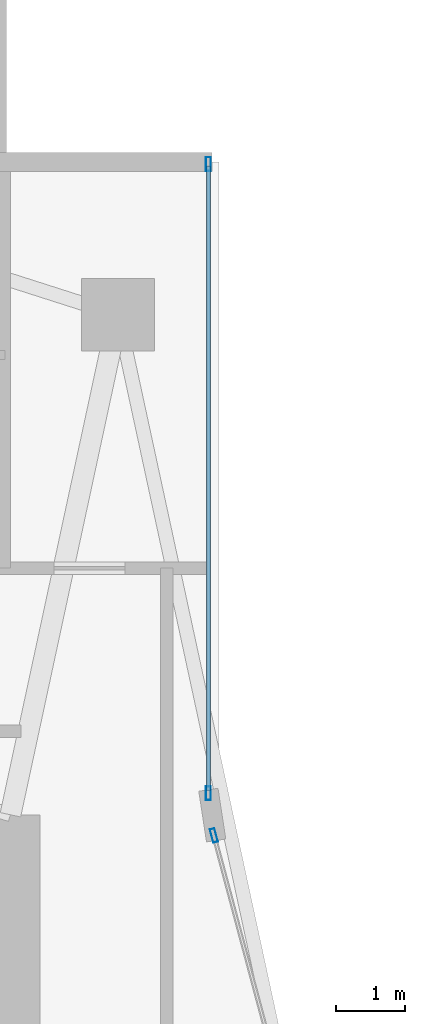
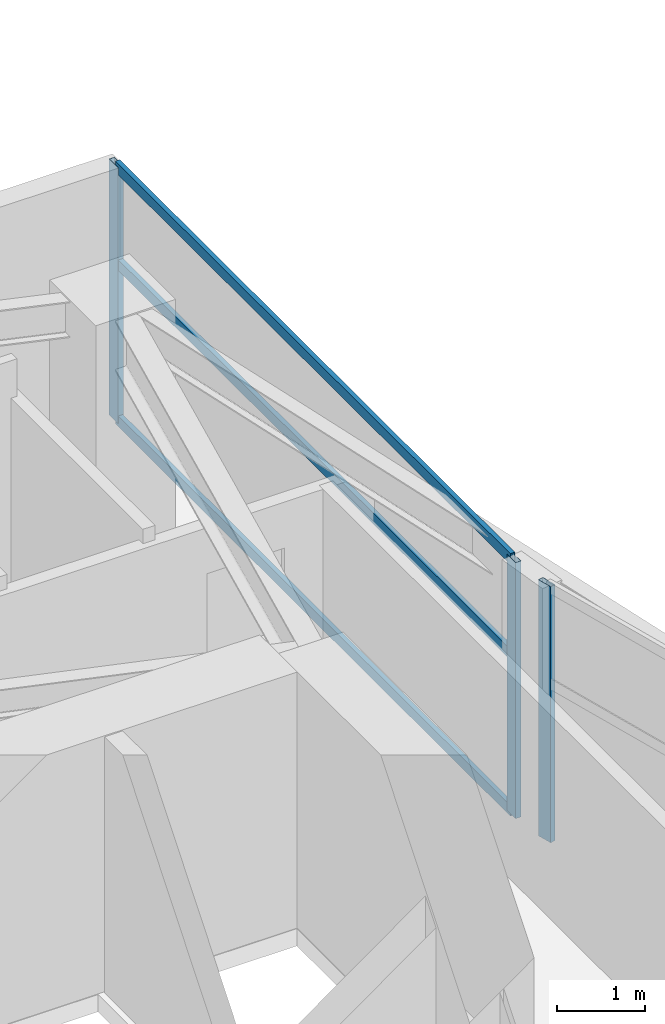
# One storey, part 18 of 28: 6 members, 2 elements without a shape of their own.
"""IFC4 building model written with IfcOpenShell, lengths in metres."""

import ifcopenshell
import ifcopenshell.guid

model = None  # the IFC model being written
_history = None  # IfcOwnerHistory: only IFC2X3 demands one
_inside = {}  # id of a spatial element -> (the spatial element, [elements in it])
_under = {}  # id of a project, library or spatial element -> (it, [spatial elements below it])
_declared = {}  # id of a project -> (the project, [libraries it declares])
_typed = {}  # id of a type object -> (the type object, [elements of that type])
_made_of = {}  # id of a material, layer set ... -> (it, [elements and type objects made of it])


def new_model(schema):
    """Start an empty IFC model of exactly this schema.

    Asked for "IFC4X3", IfcOpenShell would pick the latest addendum, in which some entities
    have other attributes; the version numbers below select the first issue.
    IFC2X3 requires an IfcOwnerHistory on every rooted entity: one is made here for all.
    """
    global model, _history
    if schema == "IFC4X3":
        model = ifcopenshell.file(schema_version=(4, 3, 0, 0))
    else:
        model = ifcopenshell.file(schema=schema)
    _inside.clear()
    _under.clear()
    _declared.clear()
    _typed.clear()
    _made_of.clear()
    _history = None
    if model.schema == "IFC2X3":
        org = make("IfcOrganization", Name="unknown")
        user = make(
            "IfcPersonAndOrganization",
            ThePerson=make("IfcPerson", FamilyName="unknown"),
            TheOrganization=org,
        )
        app = make(
            "IfcApplication",
            ApplicationDeveloper=org,
            Version="unknown",
            ApplicationFullName="unknown",
            ApplicationIdentifier="unknown",
        )
        _history = make(
            "IfcOwnerHistory",
            OwningUser=user,
            OwningApplication=app,
            ChangeAction="ADDED",
            CreationDate=0,
        )
    return model


def make(cls, **values):
    """One entity of the class cls with the attributes given. An attribute that is None is left unset."""
    return model.create_entity(
        cls, **{name: value for name, value in values.items() if value is not None}
    )


def rooted(cls, **values):
    """An entity with a GlobalId (a new one), such as an element, a storey or a relation."""
    return make(cls, GlobalId=ifcopenshell.guid.new(), OwnerHistory=_history, **values)


def si_unit(unit_type, name, prefix=None):
    """IfcSIUnit, for example si_unit("LENGTHUNIT", "METRE", prefix="MILLI")."""
    return make("IfcSIUnit", UnitType=unit_type, Prefix=prefix, Name=name)


def assignment(units):
    """IfcUnitAssignment: the units of a project."""
    return None if units is None else make("IfcUnitAssignment", Units=units)


def point(xyz):
    """IfcCartesianPoint."""
    return None if xyz is None else make("IfcCartesianPoint", Coordinates=xyz)


def direction(xyz):
    """IfcDirection."""
    return None if xyz is None else make("IfcDirection", DirectionRatios=xyz)


def frame(location, z_axis=None, x_axis=None):
    """IfcAxis2Placement3D, a coordinate frame: its origin and axes. An axis left out is left unset."""
    return make(
        "IfcAxis2Placement3D",
        Location=point(location),
        Axis=direction(z_axis),
        RefDirection=direction(x_axis),
    )


def frame_2d(location, x_axis=None):
    """IfcAxis2Placement2D, a coordinate frame in the plane: its origin and x axis."""
    return make(
        "IfcAxis2Placement2D", Location=point(location), RefDirection=direction(x_axis)
    )


def origin():
    """The frame at (0, 0, 0) with its axes left unset."""
    return frame((0.0, 0.0, 0.0))


def origin_2d():
    """The frame at (0, 0) in the plane with its x axis left unset."""
    return frame_2d((0.0, 0.0))


def place(relative_to, where):
    """IfcLocalPlacement: puts the frame where relative to a parent placement (None: the world)."""
    return make(
        "IfcLocalPlacement", PlacementRelTo=relative_to, RelativePlacement=where
    )


def context(
    kind, dimensions, precision=None, world=None, true_north=None, identifier=None
):
    """IfcGeometricRepresentationContext, for example the 3D "Model" context."""
    return make(
        "IfcGeometricRepresentationContext",
        ContextIdentifier=identifier,
        ContextType=kind,
        CoordinateSpaceDimension=dimensions,
        Precision=precision,
        WorldCoordinateSystem=world,
        TrueNorth=true_north,
    )


def subcontext(parent, identifier, kind, view, scale=None):
    """IfcGeometricRepresentationSubContext, for example "Body" below "Model"."""
    return make(
        "IfcGeometricRepresentationSubContext",
        ContextIdentifier=identifier,
        ContextType=kind,
        ParentContext=parent,
        TargetScale=scale,
        TargetView=view,
    )


def project(units=None, contexts=None):
    """IfcProject with its units and contexts."""
    return rooted(
        "IfcProject",
        Name="project",
        RepresentationContexts=contexts,
        UnitsInContext=assignment(units),
    )


def spatial(cls, under=None, at=None, **own):
    """A site, building, storey or space (cls), placed at a placement, below another one or the project."""
    s = rooted(cls, ObjectPlacement=at, **own)
    if under is not None:
        _under.setdefault(under.id(), (under, []))[1].append(s)
    return s


def profile(cls, at=None, kind="AREA", **sizes):
    """A parametric profile (cls). Its sizes go by their IFC names, for example OverallWidth=200.0."""
    return make(cls, ProfileType=kind, Position=at, **sizes)


def hollow_rectangle(**sizes):
    """IfcRectangleHollowProfileDef."""
    return profile("IfcRectangleHollowProfileDef", **sizes)


def extrude(swept, where, along, depth):
    """IfcExtrudedAreaSolid: the profile swept, set in the frame where, extruded along a direction by depth."""
    return make(
        "IfcExtrudedAreaSolid",
        SweptArea=swept,
        Position=where,
        ExtrudedDirection=direction(along),
        Depth=depth,
    )


def shape(context_of_items, identifier, shape_type, items):
    """IfcShapeRepresentation: the items that make up one representation, for example the "Body"."""
    return make(
        "IfcShapeRepresentation",
        ContextOfItems=context_of_items,
        RepresentationIdentifier=identifier,
        RepresentationType=shape_type,
        Items=items,
    )


def material(Name=None, Category=None):
    """IfcMaterial."""
    return make("IfcMaterial", Name=Name, Category=Category)


def layer(
    of_material, thickness, ventilated=None, Name=None, Category=None, Priority=None
):
    """IfcMaterialLayer: one layer of a wall or slab, of a material (None: an air gap)."""
    return make(
        "IfcMaterialLayer",
        Material=of_material,
        LayerThickness=thickness,
        IsVentilated=ventilated,
        Name=Name,
        Category=Category,
        Priority=Priority,
    )


def layer_set(layers, Name=None):
    """IfcMaterialLayerSet."""
    return make("IfcMaterialLayerSet", MaterialLayers=layers, LayerSetName=Name)


def material_profile(
    of_material, cross_section, Name=None, Category=None, Priority=None
):
    """IfcMaterialProfile: a cross section and its material."""
    return make(
        "IfcMaterialProfile",
        Name=Name,
        Material=of_material,
        Profile=cross_section,
        Priority=Priority,
        Category=Category,
    )


def profile_set(profiles, Name=None, composite=None):
    """IfcMaterialProfileSet."""
    return make(
        "IfcMaterialProfileSet",
        Name=Name,
        MaterialProfiles=profiles,
        CompositeProfile=composite,
    )


def made_of(thing, what):
    """Note that an element or type object is made of a material, layer set ...; save() writes the relation."""
    if what is not None:
        _made_of.setdefault(what.id(), (what, []))[1].append(thing)
    return thing


def type_object(cls, material=None, **own):
    """A type object (cls), such as IfcWallType, which elements share."""
    return made_of(rooted(cls, **own), material)


def element(
    cls,
    number,
    at=None,
    inside=None,
    cuts=None,
    type_object=None,
    material=None,
    context=None,
    identifier="Body",
    shape_type=None,
    held_by="IfcProductDefinitionShape",
    body=None,
    shapes=None,
    **own,
):
    """One element of the class cls, such as IfcWall. Its Tag is "e" and its number.

    at: its placement. inside: the storey or other place that contains it. cuts: it is an
    opening in that element (IfcRelVoidsElement). A single representation is given by context,
    identifier, shape_type and body (its items); several are given by shapes. held_by: the class
    of the entity that holds the representations. save() writes the other relations.
    """
    e = rooted(cls, Tag="e%d" % number, ObjectPlacement=at, **own)
    if body is not None:
        shapes = [shape(context, identifier, shape_type, body)]
    if shapes is not None:
        e.Representation = make(held_by, Representations=shapes)
    if inside is not None:
        _inside.setdefault(inside.id(), (inside, []))[1].append(e)
    if cuts is not None:
        rooted(
            "IfcRelVoidsElement", RelatingBuildingElement=cuts, RelatedOpeningElement=e
        )
    if type_object is not None:
        _typed.setdefault(type_object.id(), (type_object, []))[1].append(e)
    return made_of(e, material)


def aggregate(whole, parts):
    """IfcRelAggregates: a whole, such as a stair, and the parts it consists of."""
    return rooted("IfcRelAggregates", RelatingObject=whole, RelatedObjects=parts)


def save(model, path):
    """Write the relations noted so far, then the file.

    IfcRelAggregates (storeys below a building ...), IfcRelContainedInSpatialStructure (elements
    in a storey), IfcRelDefinesByType, IfcRelAssociatesMaterial and IfcRelDeclares: one each for
    every whole, place, type object, material and project.
    """
    for whole, parts in _under.values():
        aggregate(whole, parts)
    for where, things in _inside.values():
        rooted(
            "IfcRelContainedInSpatialStructure",
            RelatedElements=things,
            RelatingStructure=where,
        )
    for kind, things in _typed.values():
        rooted("IfcRelDefinesByType", RelatedObjects=things, RelatingType=kind)
    for what, things in _made_of.values():
        rooted("IfcRelAssociatesMaterial", RelatedObjects=things, RelatingMaterial=what)
    for by, libraries in _declared.values():
        rooted("IfcRelDeclares", RelatingContext=by, RelatedDefinitions=libraries)
    model.write(path)


model = new_model("IFC4")

# Units and contexts
model_context = context("Model", 3, precision=1e-05, world=origin(), true_north=direction((0.0, 1.0)))
body_context = subcontext(model_context, "Body", "Model", "MODEL_VIEW")
ifc_project = project(units=[si_unit("LENGTHUNIT", "METRE"), si_unit("AREAUNIT", "SQUARE_METRE"), si_unit("VOLUMEUNIT", "CUBIC_METRE"), si_unit("PLANEANGLEUNIT", "RADIAN"), si_unit("MASSUNIT", "GRAM", prefix="KILO")], contexts=[model_context])

# Site, building, storey
site_placement = place(None, origin())
site = spatial("IfcSite", under=ifc_project, at=site_placement, CompositionType="ELEMENT")
building_placement = place(site_placement, origin())
building = spatial("IfcBuilding", under=site, at=building_placement, Name="Calvorn Quay Hotel", CompositionType="ELEMENT")
storey_placement = place(building_placement, frame((0.0, 0.0, 108.800048828125)))
storey = spatial("IfcBuildingStorey", under=building, at=storey_placement, Name="L26", CompositionType="ELEMENT", Elevation=108.800048828125)

# Curtain wall, member
ifc_material_1 = material(Name="Pale Anodised Aluminium and Low-E Glass", Category="aluminium")
ifc_layer = layer(ifc_material_1, 0.219970703125)
ifc_layer_set = layer_set([ifc_layer], Name="CW-SYS-Z2")
curtain_wall_type = type_object("IfcCurtainWallType", Name="CW-SYS-Z2", PredefinedType="NOTDEFINED", material=ifc_layer_set)
curtain_wall_1_placement = place(storey_placement, origin())
curtain_wall_1 = element("IfcCurtainWall", 1, at=curtain_wall_1_placement, inside=storey, type_object=curtain_wall_type, Name="Inner Court Curtain Wall L26-IC1", PredefinedType="NOTDEFINED")
ifc_material_2 = material(Name="Pale Anodised Aluminium 6063-T6", Category="aluminium")
ifc_material_profile_1 = material_profile(ifc_material_2, hollow_rectangle(XDim=0.070068359375, YDim=0.199951171875, WallThickness=0.00390625, at=origin_2d()), Name="ALU-M200x70x4")
ifc_profile_set_1 = profile_set([ifc_material_profile_1], Name="Pale Anodised Aluminium 6063-T6")
member_type_1 = type_object("IfcMemberType", Name="CW-SYS-Z2-MUL", PredefinedType="MULLION", material=ifc_profile_set_1)
member_1_placement = place(storey_placement, frame((17.9296875, 38.10107421875, 0.0), z_axis=(0.0, 0.0, 1.0), x_axis=(-0.96593652056, -0.25877913024, 0.0)))
member_1 = element("IfcMember", 2, at=member_1_placement, type_object=member_type_1, Name="CW-L26-IC1 mullion 2", PredefinedType="MULLION", context=body_context, shape_type="SweptSolid", body=[
    extrude(hollow_rectangle(XDim=0.070068359375, YDim=0.199951171875, WallThickness=0.00390625, at=origin_2d()), origin(), (0.0, 0.0, 1.0), 3.56005859375),
])
aggregate(curtain_wall_1, [member_1])

# Curtain wall, members
curtain_wall_2_placement = place(storey_placement, origin())
curtain_wall_2 = element("IfcCurtainWall", 3, at=curtain_wall_2_placement, inside=storey, type_object=curtain_wall_type, Name="Inner Court Curtain Wall L26-IC2", PredefinedType="NOTDEFINED")
member_2_placement = place(storey_placement, frame((17.85009765625, 38.7099609375, 0.0), z_axis=(0.0, 0.0, 1.0), x_axis=(-1.0, 0.0, 0.0)))
member_2 = element("IfcMember", 4, at=member_2_placement, type_object=member_type_1, Name="CW-L26-IC2 mullion 1", PredefinedType="MULLION", context=body_context, shape_type="SweptSolid", body=[
    extrude(hollow_rectangle(XDim=0.070068359375, YDim=0.199951171875, WallThickness=0.00390625, at=origin_2d()), origin(), (0.0, 0.0, 1.0), 3.56005859375),
])
member_3_placement = place(storey_placement, frame((17.85009765625, 47.77001953125, 0.0), z_axis=(0.0, 0.0, 1.0), x_axis=(-1.0, 0.0, 0.0)))
member_3 = element("IfcMember", 5, at=member_3_placement, type_object=member_type_1, Name="CW-L26-IC2 mullion 2", PredefinedType="MULLION", context=body_context, shape_type="SweptSolid", body=[
    extrude(hollow_rectangle(XDim=0.070068359375, YDim=0.199951171875, WallThickness=0.00390625, at=origin_2d()), origin(), (0.0, 0.0, 1.0), 3.56005859375),
])
ifc_material_3 = material(Name="Pale Anodised Aluminium 6063-T6", Category="aluminium")
ifc_material_profile_2 = material_profile(ifc_material_3, hollow_rectangle(XDim=0.06005859375, YDim=0.14990234375, WallThickness=0.00341796875, at=origin_2d()), Name="ALU-T150x60x3.5")
ifc_profile_set_2 = profile_set([ifc_material_profile_2], Name="Pale Anodised Aluminium 6063-T6")
member_type_2 = type_object("IfcMemberType", Name="CW-SYS-Z2-TRN", PredefinedType="USERDEFINED", material=ifc_profile_set_2)
member_4_placement = place(storey_placement, frame((17.85009765625, 38.739990234375, 0.030029296875), z_axis=(0.0, 1.0, 0.0), x_axis=(-1.0, 0.0, 0.0)))
member_4 = element("IfcMember", 6, at=member_4_placement, type_object=member_type_2, Name="CW-L26-IC2 transom 1.1", ObjectType="TRANSOM", PredefinedType="USERDEFINED", context=body_context, shape_type="SweptSolid", body=[
    extrude(hollow_rectangle(XDim=0.06005859375, YDim=0.14990234375, WallThickness=0.00341796875, at=origin_2d()), origin(), (0.0, 0.0, 1.0), 9.0),
])
member_5_placement = place(storey_placement, frame((17.85009765625, 38.739990234375, 2.199951171875), z_axis=(0.0, 1.0, 0.0), x_axis=(-1.0, 0.0, 0.0)))
member_5 = element("IfcMember", 7, at=member_5_placement, type_object=member_type_2, Name="CW-L26-IC2 transom 1.2", ObjectType="TRANSOM", PredefinedType="USERDEFINED", context=body_context, shape_type="SweptSolid", body=[
    extrude(hollow_rectangle(XDim=0.06005859375, YDim=0.14990234375, WallThickness=0.00341796875, at=origin_2d()), origin(), (0.0, 0.0, 1.0), 9.0),
])
member_6_placement = place(storey_placement, frame((17.85009765625, 38.739990234375, 3.530029296875), z_axis=(0.0, 1.0, 0.0), x_axis=(-1.0, 0.0, 0.0)))
member_6 = element("IfcMember", 8, at=member_6_placement, type_object=member_type_2, Name="CW-L26-IC2 transom 1.3", ObjectType="TRANSOM", PredefinedType="USERDEFINED", context=body_context, shape_type="SweptSolid", body=[
    extrude(hollow_rectangle(XDim=0.06005859375, YDim=0.14990234375, WallThickness=0.00341796875, at=origin_2d()), origin(), (0.0, 0.0, 1.0), 9.0),
])
aggregate(curtain_wall_2, [member_2, member_3, member_4, member_5, member_6])

save(model, "model.ifc")
